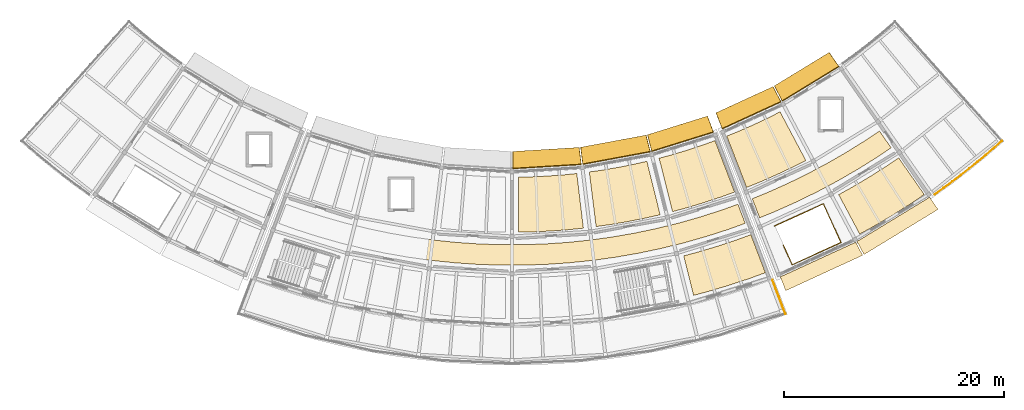
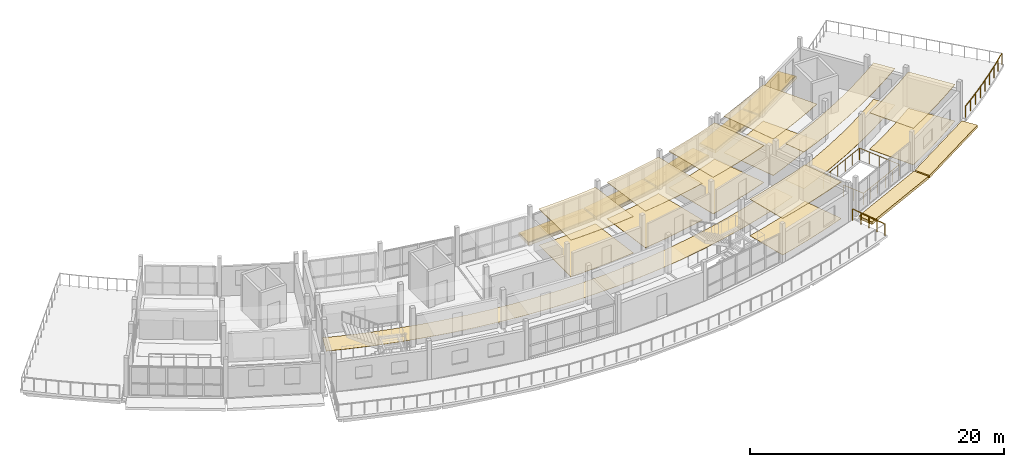
# One storey, part 24 of 24: 22 coverings, 5 shading devices, 3 railings.
"""IFC4 building model written with IfcOpenShell, lengths in metres."""

from ifc_helpers import new_model, si_unit, direction, frame, origin, origin_2d, place, context, subcontext, project, spatial, polyline, circle, outline, extrude, material, layer, layer_set, type_object, element, save


model = new_model("IFC4")

# Units and contexts
model_context = context("Model", 3, precision=1e-05, world=origin(), true_north=direction((0.0, 1.0)))
body_context = subcontext(model_context, "Body", "Model", "MODEL_VIEW")
ifc_project = project(units=[si_unit("LENGTHUNIT", "METRE"), si_unit("AREAUNIT", "SQUARE_METRE"), si_unit("VOLUMEUNIT", "CUBIC_METRE"), si_unit("PLANEANGLEUNIT", "RADIAN"), si_unit("MASSUNIT", "GRAM", prefix="KILO")], contexts=[model_context])

# Site, building, storey
site_placement = place(None, origin())
site = spatial("IfcSite", under=ifc_project, at=site_placement, CompositionType="ELEMENT")
building_placement = place(site_placement, origin())
building = spatial("IfcBuilding", under=site, at=building_placement, Name="Caldaven Crescent School", CompositionType="ELEMENT")
storey_placement = place(building_placement, frame((0.0, 0.0, 15.639892578125)))
storey = spatial("IfcBuildingStorey", under=building, at=storey_placement, Name="L04", CompositionType="ELEMENT", Elevation=15.639892578125)

# Coverings
ifc_material_1 = material(Name="White architectural GFRC precast concrete C35/45 cladding", Category="concrete")
ifc_layer_1 = layer(ifc_material_1, 0.260009765625)
ifc_layer_set_1 = layer_set([ifc_layer_1], Name="White architectural GFRC precast concrete C35/45 cladding")
covering_type_1 = type_object("IfcCoveringType", Name="COV-CLD1", PredefinedType="CLADDING", material=ifc_layer_set_1)
covering_1_placement = place(storey_placement, frame((0.0, 0.0, -0.260009765625)))
element("IfcCovering", 1, at=covering_1_placement, inside=storey, type_object=covering_type_1, Name="CLD-IN-L04-086", PredefinedType="CLADDING", context=body_context, shape_type="SweptSolid", body=[
    extrude(outline(polyline([(88.052978515625, 45.400146484375), (94.114013671875, 45.770751953125), (94.307373046875, 44.182373046875), (88.0546875, 43.800048828125), (88.052978515625, 45.400146484375)])), origin(), (0.0, 0.0, 1.0), 0.260009765625),
])
covering_2_placement = place(storey_placement, frame((0.0, 0.0, -0.260009765625)))
element("IfcCovering", 2, at=covering_2_placement, inside=storey, type_object=covering_type_1, Name="CLD-IN-L04-087", PredefinedType="CLADDING", context=body_context, shape_type="SweptSolid", body=[
    extrude(outline(polyline([(94.21923828125, 45.78369140625), (100.18994140625, 46.89013671875), (100.5751953125, 45.33740234375), (94.415771484375, 44.19580078125), (94.21923828125, 45.78369140625)])), origin(), (0.0, 0.0, 1.0), 0.260009765625),
])
covering_3_placement = place(storey_placement, frame((0.0, 0.0, -0.260009765625)))
element("IfcCovering", 3, at=covering_3_placement, inside=storey, type_object=covering_type_1, Name="CLD-IN-L04-088", PredefinedType="CLADDING", context=body_context, shape_type="SweptSolid", body=[
    extrude(outline(polyline([(100.292724609375, 46.915771484375), (105.758056640625, 48.618408203125), (106.319580078125, 47.120361328125), (100.681396484375, 45.36376953125), (100.292724609375, 46.915771484375)])), origin(), (0.0, 0.0, 1.0), 0.260009765625),
])
ifc_layer_2 = layer(ifc_material_1, 0.260009765625)
ifc_layer_set_2 = layer_set([ifc_layer_2], Name="White architectural GFRC precast concrete C35/45 cladding")
covering_type_2 = type_object("IfcCoveringType", Name="COV-CLD2", PredefinedType="CLADDING", material=ifc_layer_set_2)
covering_4_placement = place(storey_placement, frame((0.0, 0.0, -0.260009765625)))
element("IfcCovering", 4, at=covering_4_placement, inside=storey, type_object=covering_type_2, Name="CLD-IN-L04-089", PredefinedType="CLADDING", context=body_context, shape_type="SweptSolid", body=[
    extrude(outline(polyline([(106.507568359375, 48.90625), (111.70849609375, 51.298095703125), (112.458251953125, 49.884521484375), (107.0927734375, 47.4169921875), (106.507568359375, 48.90625)])), origin(), (0.0, 0.0, 1.0), 0.260009765625),
])
covering_5_placement = place(storey_placement, frame((0.0, 0.0, -0.260009765625)))
element("IfcCovering", 5, at=covering_5_placement, inside=storey, type_object=covering_type_2, Name="CLD-OUT-L04-090", PredefinedType="CLADDING", context=body_context, shape_type="SweptSolid", body=[
    extrude(outline(polyline([(112.35986328125, 34.014892578125), (119.205322265625, 37.1630859375), (119.837646484375, 35.970458984375), (112.853515625, 32.75830078125), (112.35986328125, 34.014892578125)])), origin(), (0.0, 0.0, 1.0), 0.260009765625),
])
covering_6_placement = place(storey_placement, frame((0.0, 0.0, -0.260009765625)))
element("IfcCovering", 6, at=covering_6_placement, inside=storey, type_object=covering_type_2, Name="CLD-IN-L04-091", PredefinedType="CLADDING", context=body_context, shape_type="SweptSolid", body=[
    extrude(outline(polyline([(111.802001953125, 51.34765625), (116.809326171875, 54.402099609375), (117.72021484375, 53.086669921875), (112.5546875, 49.935791015625), (111.802001953125, 51.34765625)])), origin(), (0.0, 0.0, 1.0), 0.260009765625),
])
covering_7_placement = place(storey_placement, frame((0.0, 0.0, -0.260009765625)))
element("IfcCovering", 7, at=covering_7_placement, inside=storey, type_object=covering_type_2, Name="CLD-OUT-L04-092", PredefinedType="CLADDING", context=body_context, shape_type="SweptSolid", body=[
    extrude(outline(polyline([(119.328369140625, 37.228515625), (125.9189453125, 41.24853515625), (126.6875, 40.138916015625), (119.96337890625, 36.037109375), (119.328369140625, 37.228515625)])), origin(), (0.0, 0.0, 1.0), 0.260009765625),
])
ifc_material_2 = material(Name="Perforated Pino Radiata acoustic timber baffle ceiling", Category="wood")
ifc_layer_3 = layer(ifc_material_2, 0.030029296875)
ifc_layer_set_3 = layer_set([ifc_layer_3], Name="Perforated Pino Radiata acoustic timber baffle ceiling")
covering_type_3 = type_object("IfcCoveringType", Name="COV-CLG1", PredefinedType="CEILING", material=ifc_layer_set_3)
covering_8_placement = place(storey_placement, frame((0.0, 0.0, 3.5)))
element("IfcCovering", 8, at=covering_8_placement, inside=storey, type_object=covering_type_3, Name="CLG-L04-196", PredefinedType="CEILING", context=body_context, shape_type="SweptSolid", body=[
    extrude(outline(polyline([(111.2451171875, 41.696044921875), (111.25927734375, 41.7021484375), (113.07177734375, 42.514892578125), (113.085693359375, 42.521240234375), (114.869384765625, 43.39501953125), (114.883056640625, 43.40185546875), (116.636474609375, 44.335693359375), (116.649658203125, 44.343017578125), (118.370361328125, 45.33544921875), (118.383544921875, 45.34326171875), (120.069580078125, 46.3935546875), (120.08251953125, 46.40185546875), (121.364501953125, 47.26220703125), (122.4267578125, 45.735595703125), (121.0859375, 44.835693359375), (119.33349609375, 43.744140625), (117.545166015625, 42.712646484375), (115.72265625, 41.7421875), (113.868408203125, 40.833984375), (111.984375, 39.9892578125), (110.489501953125, 39.37890625), (109.81591796875, 41.1123046875), (111.2451171875, 41.696044921875)])), origin(), (0.0, 0.0, 1.0), 0.030029296875),
])
ifc_layer_4 = layer(ifc_material_2, 0.0380859375)
ifc_layer_set_4 = layer_set([ifc_layer_4], Name="Perforated Pino Radiata acoustic timber baffle ceiling")
covering_type_4 = type_object("IfcCoveringType", Name="COV-CLG2", PredefinedType="CEILING", material=ifc_layer_set_4)
covering_9_placement = place(storey_placement, frame((0.0, 0.0, 3.502197265625)))
element("IfcCovering", 9, at=covering_9_placement, inside=storey, type_object=covering_type_4, Name="CLG-L04-193", PredefinedType="CEILING", context=body_context, shape_type="SweptSolid", body=[
    extrude(outline(polyline([(96.10546875, 43.6943359375), (96.118408203125, 43.6962890625), (97.63916015625, 43.955078125), (97.652099609375, 43.95751953125), (99.164794921875, 44.260986328125), (99.177490234375, 44.263916015625), (100.24853515625, 44.511474609375), (101.447021484375, 39.657470703125), (100.2265625, 39.375), (98.556884765625, 39.0400390625), (96.878173828125, 38.75439453125), (95.637451171875, 38.58056640625), (95.016845703125, 43.5419921875), (96.10546875, 43.6943359375)])), origin(), (0.0, 0.0, 1.0), 0.037841796875),
])
covering_10_placement = place(storey_placement, frame((0.0, 0.0, 3.4921875)))
element("IfcCovering", 10, at=covering_10_placement, inside=storey, type_object=covering_type_4, Name="CLG-L04-197", PredefinedType="CEILING", context=body_context, shape_type="SweptSolid", body=[
    extrude(outline(polyline([(108.5185546875, 47.208984375), (108.53076171875, 47.214111328125), (109.943603515625, 47.8330078125), (109.955810546875, 47.83837890625), (111.349853515625, 48.498779296875), (111.36181640625, 48.504638671875), (112.341064453125, 49.004150390625), (114.677978515625, 44.584228515625), (113.56201171875, 44.014892578125), (112.023193359375, 43.285888671875), (110.46337890625, 42.6025390625), (109.3017578125, 42.1337890625), (107.4990234375, 46.797607421875), (108.5185546875, 47.208984375)])), origin(), (0.0, 0.0, 1.0), 0.037841796875),
])
ifc_layer_5 = layer(ifc_material_2, 0.0458984375)
ifc_layer_set_5 = layer_set([ifc_layer_5], Name="Perforated Pino Radiata acoustic timber baffle ceiling")
covering_type_5 = type_object("IfcCoveringType", Name="COV-CLG3", PredefinedType="CEILING", material=ifc_layer_set_5)
covering_11_placement = place(storey_placement, frame((0.0, 0.0, 3.494140625)))
element("IfcCovering", 11, at=covering_11_placement, inside=storey, type_object=covering_type_5, Name="CLG-L04-194", PredefinedType="CEILING", context=body_context, shape_type="SweptSolid", body=[
    extrude(outline(polyline([(102.41943359375, 45.072021484375), (102.43212890625, 45.07568359375), (103.909912109375, 45.517822265625), (103.922607421875, 45.521728515625), (105.386962890625, 46.00732421875), (105.3994140625, 46.01171875), (106.43212890625, 46.38818359375), (108.21337890625, 41.716064453125), (107.0361328125, 41.287109375), (105.419921875, 40.751220703125), (103.78857421875, 40.26318359375), (102.578369140625, 39.939453125), (101.357666015625, 44.7880859375), (102.41943359375, 45.072021484375)])), origin(), (0.0, 0.0, 1.0), 0.0458984375),
])
covering_12_placement = place(storey_placement, frame((0.0, 0.0, 3.484130859375)))
element("IfcCovering", 12, at=covering_12_placement, inside=storey, type_object=covering_type_5, Name="CLG-L04-198", PredefinedType="CEILING", context=body_context, shape_type="SweptSolid", body=[
    extrude(outline(polyline([(118.856201171875, 42.14306640625), (118.86767578125, 42.149658203125), (120.42578125, 43.0732421875), (120.43701171875, 43.080078125), (121.96728515625, 44.049072265625), (121.978515625, 44.056396484375), (123.112060546875, 44.82177734375), (125.43310546875, 41.49072265625), (124.195068359375, 40.65478515625), (122.552978515625, 39.614990234375), (120.880615234375, 38.623779296875), (119.57373046875, 37.900146484375), (117.659423828125, 41.48046875), (118.856201171875, 42.14306640625)])), origin(), (0.0, 0.0, 1.0), 0.0458984375),
])
ifc_layer_6 = layer(ifc_material_2, 0.053955078125)
ifc_layer_set_6 = layer_set([ifc_layer_6], Name="Perforated Pino Radiata acoustic timber baffle ceiling")
covering_type_6 = type_object("IfcCoveringType", Name="COV-CLG4", PredefinedType="CEILING", material=ifc_layer_set_6)
covering_13_placement = place(storey_placement, frame((0.0, 0.0, 3.486083984375)))
element("IfcCovering", 13, at=covering_13_placement, inside=storey, type_object=covering_type_6, Name="CLG-L04-191", PredefinedType="CEILING", context=body_context, shape_type="SweptSolid", body=[
    extrude(outline(polyline([(89.670654296875, 43.096435546875), (89.683837890625, 43.096923828125), (91.224609375, 43.16845703125), (91.23779296875, 43.169189453125), (92.776123046875, 43.285888671875), (92.789306640625, 43.287109375), (93.88232421875, 43.402587890625), (94.480224609375, 38.438720703125), (93.234375, 38.306884765625), (91.53662109375, 38.177978515625), (89.83544921875, 38.09912109375), (88.5830078125, 38.077880859375), (88.5712890625, 43.07763671875), (89.670654296875, 43.096435546875)])), origin(), (0.0, 0.0, 1.0), 0.053955078125),
])
covering_14_placement = place(storey_placement, frame((0.0, 0.0, 3.486083984375)))
element("IfcCovering", 14, at=covering_14_placement, inside=storey, type_object=covering_type_6, Name="CLG-L04-195", PredefinedType="CEILING", context=body_context, shape_type="SweptSolid", body=[
    extrude(outline(polyline([(104.910400390625, 36.278076171875), (104.923095703125, 36.281494140625), (106.658447265625, 36.80078125), (106.671142578125, 36.804931640625), (108.390380859375, 37.375), (108.40283203125, 37.379150390625), (109.68798828125, 37.84765625), (111.006103515625, 34.390380859375), (109.612548828125, 33.882568359375), (107.77734375, 33.274169921875), (105.92529296875, 32.719970703125), (104.492431640625, 32.336669921875), (103.589111328125, 35.924560546875), (104.910400390625, 36.278076171875)])), origin(), (0.0, 0.0, 1.0), 0.053955078125),
])
ifc_material_3 = material(Name="Polished terrazzo and acoustic linoleum flooring")
ifc_layer_7 = layer(ifc_material_3, 0.02001953125)
ifc_layer_set_7 = layer_set([ifc_layer_7], Name="Polished terrazzo and acoustic linoleum flooring")
covering_type_7 = type_object("IfcCoveringType", Name="COV-FLR1", PredefinedType="FLOORING", material=ifc_layer_set_7)
covering_15_placement = place(storey_placement, origin())
element("IfcCovering", 15, at=covering_15_placement, inside=storey, type_object=covering_type_7, Name="FLR-L04-186", PredefinedType="FLOORING", context=body_context, shape_type="SweptSolid", body=[
    extrude(outline(polyline([(67.4853515625, 40.613037109375), (68.972900390625, 40.078369140625), (68.987548828125, 40.073486328125), (70.91357421875, 39.455078125), (70.928466796875, 39.45068359375), (72.87451171875, 38.8994140625), (72.889404296875, 38.8955078125), (74.853515625, 38.41162109375), (74.86865234375, 38.408203125), (76.848388671875, 37.9921875), (76.863525390625, 37.989501953125), (78.856201171875, 37.64208984375), (78.87158203125, 37.6396484375), (80.875244140625, 37.361328125), (80.890625, 37.359375), (82.902587890625, 37.150390625), (82.918212890625, 37.149169921875), (84.93603515625, 37.009521484375), (84.951416015625, 37.0087890625), (86.97314453125, 36.93896484375), (86.988525390625, 36.938720703125), (89.011474609375, 36.938720703125), (89.02685546875, 36.93896484375), (91.048583984375, 37.0087890625), (91.06396484375, 37.009521484375), (93.081787109375, 37.149169921875), (93.097412109375, 37.150390625), (95.109375, 37.359375), (95.124755859375, 37.361328125), (97.12841796875, 37.6396484375), (97.143798828125, 37.64208984375), (99.136474609375, 37.989501953125), (99.151611328125, 37.9921875), (101.13134765625, 38.408203125), (101.146484375, 38.41162109375), (103.110595703125, 38.8955078125), (103.12548828125, 38.8994140625), (105.071533203125, 39.45068359375), (105.08642578125, 39.455078125), (107.012451171875, 40.073486328125), (107.027099609375, 40.078369140625), (108.5146484375, 40.613037109375), (109.173828125, 38.8740234375), (107.618896484375, 38.31494140625), (105.616943359375, 37.67236328125), (103.593994140625, 37.099365234375), (101.552490234375, 36.596435546875), (99.4951171875, 36.164306640625), (97.423583984375, 35.80322265625), (95.34130859375, 35.513916015625), (93.25, 35.296630859375), (91.152587890625, 35.151611328125), (89.05126953125, 35.0791015625), (86.94873046875, 35.0791015625), (84.847412109375, 35.151611328125), (82.75, 35.296630859375), (80.65869140625, 35.513916015625), (78.576416015625, 35.80322265625), (76.5048828125, 36.164306640625), (74.447509765625, 36.596435546875), (72.406005859375, 37.099365234375), (70.383056640625, 37.67236328125), (68.381103515625, 38.31494140625), (66.826171875, 38.8740234375), (67.4853515625, 40.613037109375)])), origin(), (0.0, 0.0, 1.0), 0.02001953125),
])
covering_16_placement = place(storey_placement, origin())
element("IfcCovering", 16, at=covering_16_placement, inside=storey, type_object=covering_type_7, Name="FLR-L04-195", PredefinedType="FLOORING", context=body_context, shape_type="SweptSolid", body=[
    extrude(outline(polyline([(103.589111328125, 35.924560546875), (104.910400390625, 36.278076171875), (104.923095703125, 36.281494140625), (106.658447265625, 36.80078125), (106.671142578125, 36.804931640625), (108.390380859375, 37.375), (108.40283203125, 37.379150390625), (109.68798828125, 37.84765625), (111.006103515625, 34.390380859375), (109.612548828125, 33.882568359375), (107.77734375, 33.274169921875), (105.92529296875, 32.719970703125), (104.492431640625, 32.336669921875), (103.589111328125, 35.924560546875)])), origin(), (0.0, 0.0, 1.0), 0.02001953125),
])
covering_17_placement = place(storey_placement, origin())
element("IfcCovering", 17, at=covering_17_placement, inside=storey, type_object=covering_type_7, Name="FLR-L04-198", PredefinedType="FLOORING", context=body_context, shape_type="SweptSolid", body=[
    extrude(outline(polyline([(117.659423828125, 41.48046875), (118.856201171875, 42.14306640625), (118.86767578125, 42.149658203125), (120.42578125, 43.0732421875), (120.43701171875, 43.080078125), (121.96728515625, 44.049072265625), (121.978515625, 44.056396484375), (123.112060546875, 44.82177734375), (125.43310546875, 41.49072265625), (124.195068359375, 40.65478515625), (122.552978515625, 39.614990234375), (120.880615234375, 38.623779296875), (119.57373046875, 37.900146484375), (117.659423828125, 41.48046875)])), origin(), (0.0, 0.0, 1.0), 0.02001953125),
])
ifc_layer_8 = layer(ifc_material_3, 0.02587890625)
ifc_layer_set_8 = layer_set([ifc_layer_8], Name="Polished terrazzo and acoustic linoleum flooring")
covering_type_8 = type_object("IfcCoveringType", Name="COV-FLR2", PredefinedType="FLOORING", material=ifc_layer_set_8)
covering_18_placement = place(storey_placement, origin())
element("IfcCovering", 18, at=covering_18_placement, inside=storey, type_object=covering_type_8, Name="FLR-L04-193", PredefinedType="FLOORING", context=body_context, shape_type="SweptSolid", body=[
    extrude(outline(polyline([(95.016845703125, 43.5419921875), (96.10546875, 43.6943359375), (96.118408203125, 43.6962890625), (97.63916015625, 43.955078125), (97.652099609375, 43.95751953125), (99.164794921875, 44.260986328125), (99.177490234375, 44.263916015625), (100.24853515625, 44.511474609375), (101.447021484375, 39.657470703125), (100.2265625, 39.375), (98.556884765625, 39.0400390625), (96.878173828125, 38.75439453125), (95.637451171875, 38.58056640625), (95.016845703125, 43.5419921875)])), origin(), (0.0, 0.0, 1.0), 0.026123046875),
])
covering_19_placement = place(storey_placement, origin())
element("IfcCovering", 19, at=covering_19_placement, inside=storey, type_object=covering_type_8, Name="FLR-L04-196", PredefinedType="FLOORING", context=body_context, shape_type="SweptSolid", body=[
    extrude(outline(polyline([(109.81591796875, 41.1123046875), (111.2451171875, 41.696044921875), (111.25927734375, 41.7021484375), (113.07177734375, 42.514892578125), (113.085693359375, 42.521240234375), (114.869384765625, 43.39501953125), (114.883056640625, 43.40185546875), (116.636474609375, 44.335693359375), (116.649658203125, 44.343017578125), (118.370361328125, 45.33544921875), (118.383544921875, 45.34326171875), (120.069580078125, 46.3935546875), (120.08251953125, 46.40185546875), (121.364501953125, 47.26220703125), (122.4267578125, 45.735595703125), (121.0859375, 44.835693359375), (119.33349609375, 43.744140625), (117.545166015625, 42.712646484375), (115.72265625, 41.7421875), (113.868408203125, 40.833984375), (111.984375, 39.9892578125), (110.489501953125, 39.37890625), (109.81591796875, 41.1123046875)])), origin(), (0.0, 0.0, 1.0), 0.026123046875),
])
ifc_layer_9 = layer(ifc_material_3, 0.031982421875)
ifc_layer_set_9 = layer_set([ifc_layer_9], Name="Polished terrazzo and acoustic linoleum flooring")
covering_type_9 = type_object("IfcCoveringType", Name="COV-FLR3", PredefinedType="FLOORING", material=ifc_layer_set_9)
covering_20_placement = place(storey_placement, origin())
element("IfcCovering", 20, at=covering_20_placement, inside=storey, type_object=covering_type_9, Name="FLR-L04-191", PredefinedType="FLOORING", context=body_context, shape_type="SweptSolid", body=[
    extrude(outline(polyline([(88.5712890625, 43.07763671875), (89.670654296875, 43.096435546875), (89.683837890625, 43.096923828125), (91.224609375, 43.16845703125), (91.23779296875, 43.169189453125), (92.776123046875, 43.285888671875), (92.789306640625, 43.287109375), (93.88232421875, 43.402587890625), (94.480224609375, 38.438720703125), (93.234375, 38.306884765625), (91.53662109375, 38.177978515625), (89.83544921875, 38.09912109375), (88.5830078125, 38.077880859375), (88.5712890625, 43.07763671875)])), origin(), (0.0, 0.0, 1.0), 0.0322265625),
])
covering_21_placement = place(storey_placement, origin())
element("IfcCovering", 21, at=covering_21_placement, inside=storey, type_object=covering_type_9, Name="FLR-L04-194", PredefinedType="FLOORING", context=body_context, shape_type="SweptSolid", body=[
    extrude(outline(polyline([(101.357666015625, 44.7880859375), (102.41943359375, 45.072021484375), (102.43212890625, 45.07568359375), (103.909912109375, 45.517822265625), (103.922607421875, 45.521728515625), (105.386962890625, 46.00732421875), (105.3994140625, 46.01171875), (106.43212890625, 46.38818359375), (108.21337890625, 41.716064453125), (107.0361328125, 41.287109375), (105.419921875, 40.751220703125), (103.78857421875, 40.26318359375), (102.578369140625, 39.939453125), (101.357666015625, 44.7880859375)])), origin(), (0.0, 0.0, 1.0), 0.0322265625),
])
covering_22_placement = place(storey_placement, origin())
element("IfcCovering", 22, at=covering_22_placement, inside=storey, type_object=covering_type_9, Name="FLR-L04-197", PredefinedType="FLOORING", context=body_context, shape_type="SweptSolid", body=[
    extrude(outline(polyline([(107.4990234375, 46.797607421875), (108.5185546875, 47.208984375), (108.53076171875, 47.214111328125), (109.943603515625, 47.8330078125), (109.955810546875, 47.83837890625), (111.349853515625, 48.498779296875), (111.36181640625, 48.504638671875), (112.341064453125, 49.004150390625), (114.677978515625, 44.584228515625), (113.56201171875, 44.014892578125), (112.023193359375, 43.285888671875), (110.46337890625, 42.6025390625), (109.3017578125, 42.1337890625), (107.4990234375, 46.797607421875)])), origin(), (0.0, 0.0, 1.0), 0.0322265625),
])

# Railings
ifc_material_4 = material(Name="Galvanised powder-coated steel balustrade ASTM A572 Grade 50", Category="steel")
railing_type_1 = type_object("IfcRailingType", Name="RAL-EXT1", PredefinedType="BALUSTRADE", material=ifc_material_4)
railing_1_placement = place(storey_placement, frame((126.404541015625, 41.5146484375, 0.0)))
element("IfcRailing", 23, at=railing_1_placement, inside=storey, type_object=railing_type_1, Name="GD-BT-L04-E-OUT", PredefinedType="BALUSTRADE", context=body_context, shape_type="SweptSolid", body=[
    extrude(circle(Radius=0.02392578125, at=origin_2d()), frame((0.0, 0.0, 1.076171875), z_axis=(0.81305469343, 0.582187311345, 0.0), x_axis=(-0.582187311345, 0.81305469343, 0.0)), (0.0, 0.0, 1.0), 0.972900390625),
    extrude(circle(Radius=0.02392578125, at=origin_2d()), frame((0.791015625, 0.56640625, 1.076171875), z_axis=(0.804614048975, 0.593798140947, 0.0), x_axis=(-0.593798140947, 0.804614048975, 0.0)), (0.0, 0.0, 1.0), 0.972900390625),
    extrude(circle(Radius=0.02392578125, at=origin_2d()), frame((1.57373046875, 1.14404296875, 1.076171875), z_axis=(0.79576561516, 0.6056047273, 0.0), x_axis=(-0.6056047273, 0.79576561516, 0.0)), (0.0, 0.0, 1.0), 0.97314453125),
    extrude(circle(Radius=0.02392578125, at=origin_2d()), frame((2.34814453125, 1.7333984375, 1.076171875), z_axis=(0.786927479185, 0.617045494679, 0.0), x_axis=(-0.617045494679, 0.786927479185, 0.0)), (0.0, 0.0, 1.0), 0.972900390625),
    extrude(circle(Radius=0.02392578125, at=origin_2d()), frame((3.11376953125, 2.333740234375, 1.076171875), z_axis=(0.777700505722, 0.628634968324, 0.0), x_axis=(-0.628634968324, 0.777700505722, 0.0)), (0.0, 0.0, 1.0), 0.972900390625),
    extrude(circle(Radius=0.02392578125, at=origin_2d()), frame((3.870361328125, 2.9453125, 1.076171875), z_axis=(0.768653064022, 0.639665902772, 0.0), x_axis=(-0.639665902772, 0.768653064022, 0.0)), (0.0, 0.0, 1.0), 0.972900390625),
    extrude(circle(Radius=0.02392578125, at=origin_2d()), frame((4.6181640625, 3.567626953125, 1.076171875), z_axis=(0.759114873081, 0.650956687858, 0.0), x_axis=(-0.650956687858, 0.759114873081, 0.0)), (0.0, 0.0, 1.0), 0.972900390625),
    extrude(circle(Radius=0.02392578125, at=origin_2d()), frame((5.356689453125, 4.200927734375, 1.076171875), z_axis=(0.749537537045, 0.661961842224, 0.0), x_axis=(-0.661961842224, 0.749537537045, 0.0)), (0.0, 0.0, 1.0), 0.972900390625),
    extrude(circle(Radius=0.02099609375, at=origin_2d()), origin(), (0.0, 0.0, 1.0), 1.052001953125),
    extrude(circle(Radius=0.02099609375, at=origin_2d()), frame((0.791015625, 0.56640625, 0.0)), (0.0, 0.0, 1.0), 1.052001953125),
    extrude(circle(Radius=0.02099609375, at=origin_2d()), frame((1.57373046875, 1.14404296875, 0.0)), (0.0, 0.0, 1.0), 1.052001953125),
    extrude(circle(Radius=0.02099609375, at=origin_2d()), frame((2.34814453125, 1.7333984375, 0.0)), (0.0, 0.0, 1.0), 1.052001953125),
    extrude(circle(Radius=0.02099609375, at=origin_2d()), frame((3.11376953125, 2.333740234375, 0.0)), (0.0, 0.0, 1.0), 1.052001953125),
    extrude(circle(Radius=0.02099609375, at=origin_2d()), frame((3.870361328125, 2.9453125, 0.0)), (0.0, 0.0, 1.0), 1.052001953125),
    extrude(circle(Radius=0.02099609375, at=origin_2d()), frame((4.6181640625, 3.567626953125, 0.0)), (0.0, 0.0, 1.0), 1.052001953125),
    extrude(circle(Radius=0.02099609375, at=origin_2d()), frame((5.356689453125, 4.200927734375, 0.0)), (0.0, 0.0, 1.0), 1.052001953125),
    extrude(circle(Radius=0.02099609375, at=origin_2d()), frame((6.0859375, 4.844970703125, 0.0)), (0.0, 0.0, 1.0), 1.052001953125),
])
railing_type_2 = type_object("IfcRailingType", Name="RAL-EXT2", PredefinedType="BALUSTRADE", material=ifc_material_4)
railing_2_placement = place(storey_placement, frame((111.655029296875, 33.72119140625, 0.0)))
element("IfcRailing", 24, at=railing_2_placement, inside=storey, type_object=railing_type_2, Name="GD-BT-L04-C-END1", PredefinedType="BALUSTRADE", context=body_context, shape_type="SweptSolid", body=[
    extrude(circle(Radius=0.02392578125, at=origin_2d()), frame((0.0, 0.0, 1.09619140625), z_axis=(0.355100690227, -0.93482805895, 0.0), x_axis=(0.93482805895, 0.355100690227, 0.0)), (0.0, 0.0, 1.0), 3.2802734375),
    extrude(circle(Radius=0.02099609375, at=origin_2d()), origin(), (0.0, 0.0, 1.0), 1.072021484375),
    extrude(circle(Radius=0.02099609375, at=origin_2d()), frame((0.291259765625, -0.7666015625, 0.0)), (0.0, 0.0, 1.0), 1.072021484375),
    extrude(circle(Radius=0.02099609375, at=origin_2d()), frame((0.58251953125, -1.533203125, 0.0)), (0.0, 0.0, 1.0), 1.072021484375),
    extrude(circle(Radius=0.02099609375, at=origin_2d()), frame((0.87353515625, -2.2998046875, 0.0)), (0.0, 0.0, 1.0), 1.072021484375),
    extrude(circle(Radius=0.02099609375, at=origin_2d()), frame((1.164794921875, -3.06640625, 0.0)), (0.0, 0.0, 1.0), 1.072021484375),
])
ifc_material_5 = material(Name="Powder-coated tubular steel balustrade ASTM A572 Grade 50", Category="steel")
railing_type_3 = type_object("IfcRailingType", Name="RAL-INT3", PredefinedType="BALUSTRADE", material=ifc_material_5)
railing_3_placement = place(storey_placement, frame((112.63671875, 36.89501953125, 0.0)))
element("IfcRailing", 25, at=railing_3_placement, inside=storey, type_object=railing_type_3, Name="GD-WELL-ST4-L04", PredefinedType="BALUSTRADE", context=body_context, shape_type="SweptSolid", body=[
    extrude(circle(Radius=0.02392578125, at=origin_2d()), frame((0.0, 0.0, 1.1259765625), z_axis=(0.414670598092, -0.909971590259, 0.0), x_axis=(0.909971590259, 0.414670598092, 0.0)), (0.0, 0.0, 1.0), 1.949951171875),
    extrude(circle(Radius=0.02392578125, at=origin_2d()), frame((0.80859375, -1.7744140625, 1.1259765625), z_axis=(0.909973988672, 0.414665334867, 0.0), x_axis=(-0.414665334867, 0.909973988672, 0.0)), (0.0, 0.0, 1.0), 4.862060546875),
    extrude(circle(Radius=0.02392578125, at=origin_2d()), frame((5.23291015625, 0.24169921875, 1.1259765625), z_axis=(-0.414717666462, 0.909950139911, 0.0), x_axis=(-0.909950139911, -0.414717666462, 0.0)), (0.0, 0.0, 1.0), 3.860107421875),
    extrude(circle(Radius=0.02392578125, at=origin_2d()), frame((3.632080078125, 3.754150390625, 1.1259765625), z_axis=(-0.909965353956, -0.41468428304, 0.0), x_axis=(0.41468428304, -0.909965353956, 0.0)), (0.0, 0.0, 1.0), 4.86181640625),
    extrude(circle(Radius=0.02099609375, at=origin_2d()), origin(), (0.0, 0.0, 1.0), 1.101806640625),
    extrude(circle(Radius=0.02099609375, at=origin_2d()), frame((0.404296875, -0.88720703125, 0.0)), (0.0, 0.0, 1.0), 1.101806640625),
    extrude(circle(Radius=0.02099609375, at=origin_2d()), frame((0.80859375, -1.7744140625, 0.0)), (0.0, 0.0, 1.0), 1.101806640625),
    extrude(circle(Radius=0.02099609375, at=origin_2d()), frame((1.693359375, -1.37109375, 0.0)), (0.0, 0.0, 1.0), 1.101806640625),
    extrude(circle(Radius=0.02099609375, at=origin_2d()), frame((2.578369140625, -0.968017578125, 0.0)), (0.0, 0.0, 1.0), 1.101806640625),
    extrude(circle(Radius=0.02099609375, at=origin_2d()), frame((3.463134765625, -0.564697265625, 0.0)), (0.0, 0.0, 1.0), 1.101806640625),
    extrude(circle(Radius=0.02099609375, at=origin_2d()), frame((4.34814453125, -0.16162109375, 0.0)), (0.0, 0.0, 1.0), 1.101806640625),
    extrude(circle(Radius=0.02099609375, at=origin_2d()), frame((5.23291015625, 0.24169921875, 0.0)), (0.0, 0.0, 1.0), 1.101806640625),
    extrude(circle(Radius=0.02099609375, at=origin_2d()), frame((4.832763671875, 1.119873046875, 0.0)), (0.0, 0.0, 1.0), 1.101806640625),
    extrude(circle(Radius=0.02099609375, at=origin_2d()), frame((4.4326171875, 1.998046875, 0.0)), (0.0, 0.0, 1.0), 1.101806640625),
    extrude(circle(Radius=0.02099609375, at=origin_2d()), frame((4.0322265625, 2.8759765625, 0.0)), (0.0, 0.0, 1.0), 1.101806640625),
    extrude(circle(Radius=0.02099609375, at=origin_2d()), frame((3.632080078125, 3.754150390625, 0.0)), (0.0, 0.0, 1.0), 1.101806640625),
    extrude(circle(Radius=0.02099609375, at=origin_2d()), frame((2.747314453125, 3.350830078125, 0.0)), (0.0, 0.0, 1.0), 1.101806640625),
    extrude(circle(Radius=0.02099609375, at=origin_2d()), frame((1.862548828125, 2.94775390625, 0.0)), (0.0, 0.0, 1.0), 1.101806640625),
    extrude(circle(Radius=0.02099609375, at=origin_2d()), frame((0.9775390625, 2.54443359375, 0.0)), (0.0, 0.0, 1.0), 1.101806640625),
    extrude(circle(Radius=0.02099609375, at=origin_2d()), frame((0.0927734375, 2.141357421875, 0.0)), (0.0, 0.0, 1.0), 1.101806640625),
    extrude(circle(Radius=0.02099609375, at=origin_2d()), frame((-0.7919921875, 1.738037109375, 0.0)), (0.0, 0.0, 1.0), 1.101806640625),
])

# Shading devices
ifc_material_6 = material(Name="Precast concrete C35/45", Category="concrete")
ifc_layer_10 = layer(ifc_material_6, 0.139892578125)
ifc_layer_set_10 = layer_set([ifc_layer_10], Name="Precast concrete C35/45")
shading_device_type_1 = type_object("IfcShadingDeviceType", Name="SHD-S01", PredefinedType="AWNING", material=ifc_layer_set_10)
shading_device_1_placement = place(storey_placement, frame((0.0, 0.0, -0.139892578125)))
element("IfcShadingDevice", 26, at=shading_device_1_placement, inside=storey, type_object=shading_device_type_1, Name="SHD-LDG-L04-066", PredefinedType="AWNING", context=body_context, shape_type="SweptSolid", body=[
    extrude(outline(polyline([(88.070556640625, 45.400146484375), (94.096435546875, 45.7685546875), (94.279541015625, 44.259765625), (88.07275390625, 43.880126953125), (88.070556640625, 45.400146484375)])), origin(), (0.0, 0.0, 1.0), 0.139892578125),
])
shading_device_2_placement = place(storey_placement, frame((0.0, 0.0, -0.139892578125)))
element("IfcShadingDevice", 27, at=shading_device_2_placement, inside=storey, type_object=shading_device_type_1, Name="SHD-LDG-L04-067", PredefinedType="AWNING", context=body_context, shape_type="SweptSolid", body=[
    extrude(outline(polyline([(94.23681640625, 45.785888671875), (100.172607421875, 46.885986328125), (100.538330078125, 45.41064453125), (94.424072265625, 44.27734375), (94.23681640625, 45.785888671875)])), origin(), (0.0, 0.0, 1.0), 0.139892578125),
])
shading_device_3_placement = place(storey_placement, frame((0.0, 0.0, -0.139892578125)))
element("IfcShadingDevice", 28, at=shading_device_3_placement, inside=storey, type_object=shading_device_type_1, Name="SHD-LDG-L04-068", PredefinedType="AWNING", context=body_context, shape_type="SweptSolid", body=[
    extrude(outline(polyline([(100.309814453125, 46.920166015625), (105.74169921875, 48.6123046875), (106.2744140625, 47.188720703125), (100.6796875, 45.44580078125), (100.309814453125, 46.920166015625)])), origin(), (0.0, 0.0, 1.0), 0.139892578125),
])
ifc_layer_11 = layer(ifc_material_6, 0.1201171875)
ifc_layer_set_11 = layer_set([ifc_layer_11], Name="Precast concrete C35/45")
shading_device_type_2 = type_object("IfcShadingDeviceType", Name="SHD-S03", PredefinedType="AWNING", material=ifc_layer_set_11)
shading_device_4_placement = place(storey_placement, frame((0.0, 0.0, -0.119873046875)))
element("IfcShadingDevice", 29, at=shading_device_4_placement, inside=storey, type_object=shading_device_type_2, Name="SHD-LDG-L04-069", PredefinedType="AWNING", context=body_context, shape_type="SweptSolid", body=[
    extrude(outline(polyline([(106.52392578125, 48.91259765625), (111.69287109375, 51.289794921875), (112.404541015625, 49.946533203125), (107.08056640625, 47.498046875), (106.52392578125, 48.91259765625)])), origin(), (0.0, 0.0, 1.0), 0.119873046875),
])
shading_device_5_placement = place(storey_placement, frame((0.0, 0.0, -0.119873046875)))
element("IfcShadingDevice", 30, at=shading_device_5_placement, inside=storey, type_object=shading_device_type_2, Name="SHD-LDG-L04-070", PredefinedType="AWNING", context=body_context, shape_type="SweptSolid", body=[
    extrude(outline(polyline([(111.817626953125, 51.35595703125), (116.794677734375, 54.39208984375), (117.65966796875, 53.14208984375), (112.533203125, 50.014892578125), (111.817626953125, 51.35595703125)])), origin(), (0.0, 0.0, 1.0), 0.119873046875),
])

save(model, "model.ifc")
